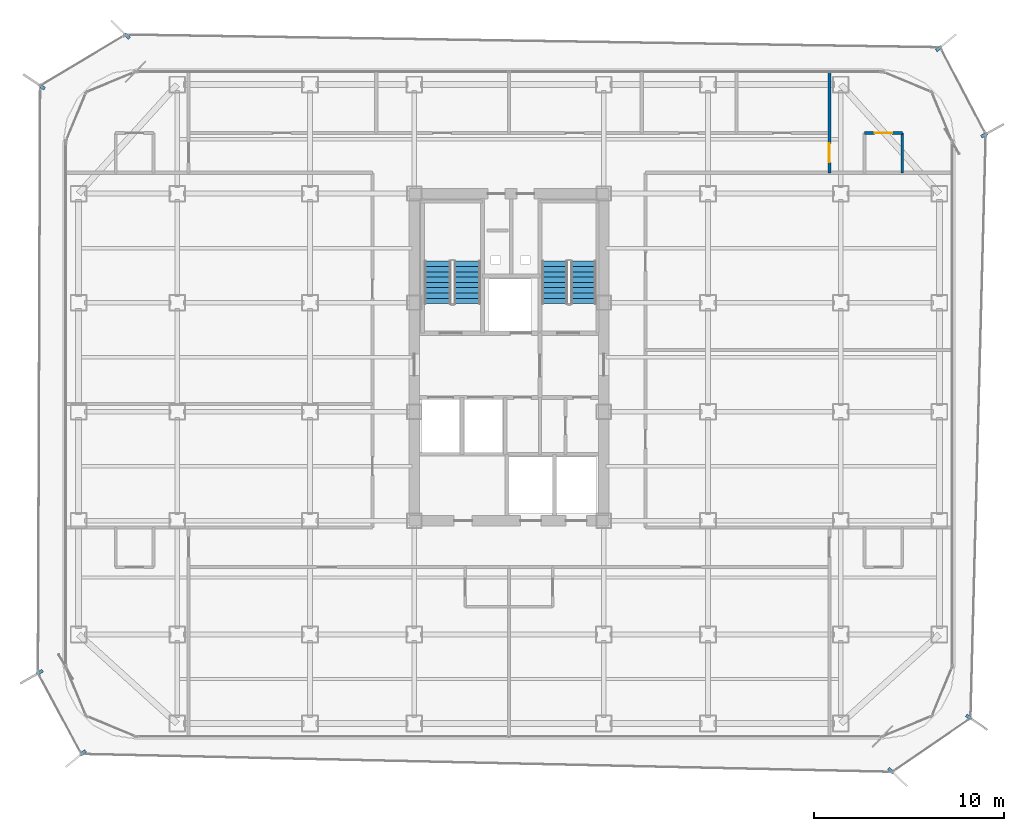
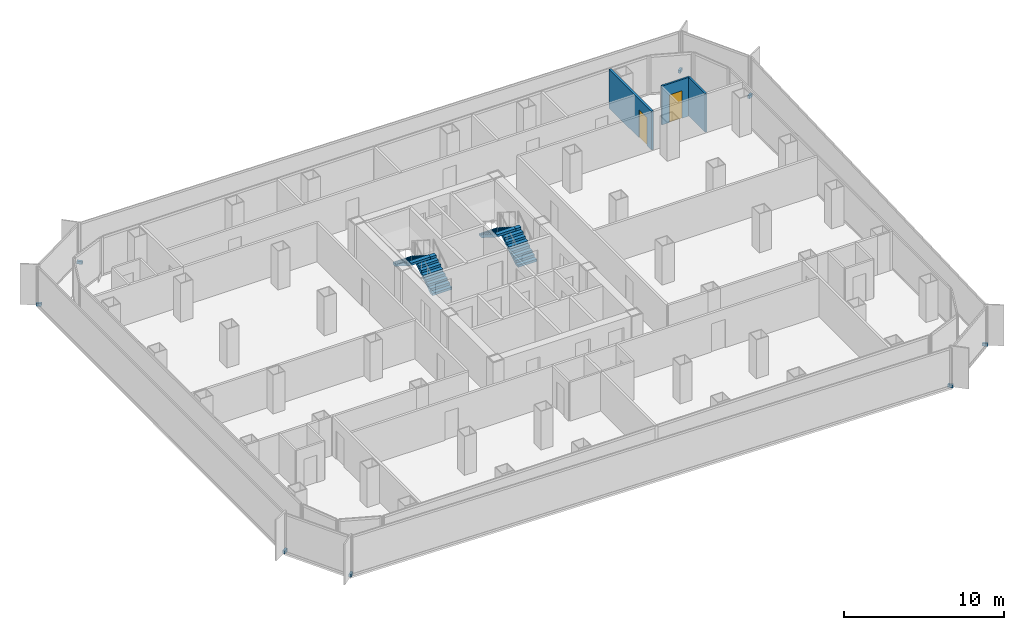
# One storey, part 18 of 21: 8 discrete accessories, 4 stair flights, 3 walls, 2 doors, 2 openings, 2 elements without a shape of their own.
"""IFC4 building model written with IfcOpenShell, lengths in metres."""

from ifc_helpers import new_model, si_unit, direction, frame, frame_2d, origin, origin_2d, place, context, subcontext, project, spatial, polyline, rectangle, outline, extrude, source, transform, mapped, material, layer, layer_set, type_object, element, fill, aggregate, save


model = new_model("IFC4")

# Units and contexts
model_context = context("Model", 3, precision=1e-05, world=origin(), true_north=direction((0.0, 1.0)))
body_context = subcontext(model_context, "Body", "Model", "MODEL_VIEW")
ifc_project = project(units=[si_unit("LENGTHUNIT", "METRE"), si_unit("AREAUNIT", "SQUARE_METRE"), si_unit("VOLUMEUNIT", "CUBIC_METRE"), si_unit("PLANEANGLEUNIT", "RADIAN"), si_unit("MASSUNIT", "GRAM", prefix="KILO")], contexts=[model_context])

# Site, building, storey
site_placement = place(None, origin())
site = spatial("IfcSite", under=ifc_project, at=site_placement, CompositionType="ELEMENT")
building_placement = place(site_placement, origin())
building = spatial("IfcBuilding", under=site, at=building_placement, Name="Kolveth Station Tower", CompositionType="ELEMENT")
storey_placement = place(building_placement, frame((0.0, 0.0, 134.300048828125)))
storey = spatial("IfcBuildingStorey", under=building, at=storey_placement, Name="L37", CompositionType="ELEMENT", Elevation=134.300048828125)

# Wall
ifc_material_1 = material(Name="Moisture-resistant gypsum partition")
ifc_layer_1 = layer(ifc_material_1, 0.135009765625)
ifc_layer_set_1 = layer_set([ifc_layer_1], Name="Moisture-resistant gypsum partition")
wall_type_1 = type_object("IfcWallType", Name="Wall_IW-135", PredefinedType="PARTITIONING", material=ifc_layer_set_1)
wall_1_placement = place(storey_placement, frame((44.25, 29.85009765625, 0.0), z_axis=(0.0, 0.0, 1.0), x_axis=(0.0, 1.0, 0.0)))
element("IfcWall", 1, at=wall_1_placement, inside=storey, type_object=wall_type_1, Name="L37 Partition Wall WL-L37-ES2-BV2", PredefinedType="PARTITIONING", context=body_context, shape_type="SweptSolid", body=[
    extrude(rectangle(XDim=2.099853515625, YDim=0.135009765625, at=frame_2d((1.0498046875, 0.0))), origin(), (0.0, 0.0, 1.0), 2.949951171875),
])

# Wall, opening, door
wall_2_placement = place(storey_placement, frame((42.25, 31.949951171875, 0.0), z_axis=(0.0, 0.0, 1.0), x_axis=(1.0, 0.0, 0.0)))
wall_2 = element("IfcWall", 2, at=wall_2_placement, inside=storey, type_object=wall_type_1, Name="L37 Partition Wall WL-L37-ES2-BH", PredefinedType="PARTITIONING", context=body_context, shape_type="SweptSolid", body=[
    extrude(rectangle(XDim=2.0, YDim=0.135009765625, at=frame_2d((1.0, 0.0))), origin(), (0.0, 0.0, 1.0), 2.949951171875),
])
opening_1_placement = place(wall_2_placement, frame((0.5400390625, 0.0, 0.0)))
opening_1 = element("IfcOpeningElement", 3, at=opening_1_placement, cuts=wall_2, Name="Opening ID2", PredefinedType="OPENING", context=body_context, shape_type="SweptSolid", body=[
    extrude(rectangle(XDim=0.919921875, YDim=2.10009765625, at=frame_2d((0.4599609375, 1.050048828125))), frame((0.0, 0.077392578125, 0.0), z_axis=(0.0, -1.0, 0.0), x_axis=(1.0, 0.0, 0.0)), (0.0, 0.0, 1.0), 0.155029296875),
])
ifc_material_2 = material(Name="Moisture-resistant hardwood leaf", Category="wood")
door_type_1 = type_object("IfcDoorType", Name="Door_ID2", OperationType="NOTDEFINED", PredefinedType="DOOR", material=ifc_material_2)
door_1_placement = place(opening_1_placement, frame((0.919921875, 0.0, 0.0), z_axis=(0.0, 0.0, 1.0), x_axis=(-1.0, 0.0, 0.0)))
door_1 = element("IfcDoor", 4, at=door_1_placement, inside=storey, type_object=door_type_1, Name="L37 Hotel Guest Room ES2 En-Suite Door", OperationType="SINGLE_SWING_RIGHT", OverallHeight=2.10009765625, OverallWidth=0.919921875, PredefinedType="DOOR", context=body_context, shape_type="SweptSolid", body=[
    extrude(rectangle(XDim=0.919921875, YDim=2.10009765625, at=frame_2d((0.4599609375, 1.050048828125))), frame((0.0, 0.02490234375, 0.0), z_axis=(0.0, -1.0, 0.0), x_axis=(1.0, 0.0, 0.0)), (0.0, 0.0, 1.0), 0.050048828125),
])
fill(opening_1, door_1)

ifc_material_3 = material(Name="Acoustic double-stud gypsum partition")
ifc_layer_2 = layer(ifc_material_3, 0.1650390625)
ifc_layer_set_2 = layer_set([ifc_layer_2], Name="Acoustic double-stud gypsum partition")
wall_type_2 = type_object("IfcWallType", Name="Wall_IW-165", PredefinedType="PARTITIONING", material=ifc_layer_set_2)
wall_3_placement = place(storey_placement, frame((40.39990234375, 29.85009765625, 0.0), z_axis=(0.0, 0.0, 1.0), x_axis=(0.0, 1.0, 0.0)))
wall_3 = element("IfcWall", 5, at=wall_3_placement, inside=storey, type_object=wall_type_2, Name="L37 Partition Wall WL-L37-END-EN", PredefinedType="PARTITIONING", context=body_context, shape_type="SweptSolid", body=[
    extrude(rectangle(XDim=5.289794921875, YDim=0.1650390625, at=frame_2d((2.64501953125, 0.0))), origin(), (0.0, 0.0, 1.0), 2.949951171875),
])
opening_2_placement = place(wall_3_placement, frame((0.550048828125, 0.0, 0.0)))
opening_2 = element("IfcOpeningElement", 6, at=opening_2_placement, cuts=wall_3, Name="Opening FD3", PredefinedType="OPENING", context=body_context, shape_type="SweptSolid", body=[
    extrude(rectangle(XDim=1.0, YDim=2.14990234375, at=frame_2d((0.5, 1.074951171875))), frame((0.0, 0.092529296875, 0.0), z_axis=(0.0, -1.0, 0.0), x_axis=(1.0, 0.0, 0.0)), (0.0, 0.0, 1.0), 0.18505859375),
])
ifc_material_4 = material(Name="Fire-rated hardwood leaf and aluminium frame", Category="wood")
door_type_2 = type_object("IfcDoorType", Name="Door_FD3", OperationType="NOTDEFINED", PredefinedType="DOOR", material=ifc_material_4)
door_2_placement = place(opening_2_placement, frame((1.0, 0.0, 0.0), z_axis=(0.0, 0.0, 1.0), x_axis=(-1.0, 0.0, 0.0)))
door_2 = element("IfcDoor", 7, at=door_2_placement, inside=storey, type_object=door_type_2, Name="L37 Hotel Guest Room ES2 Entrance Door", OperationType="SINGLE_SWING_LEFT", OverallHeight=2.14990234375, OverallWidth=1.0, PredefinedType="DOOR", context=body_context, shape_type="SweptSolid", body=[
    extrude(rectangle(XDim=1.0, YDim=2.14990234375, at=frame_2d((0.5, 1.074951171875))), frame((0.0, 0.02490234375, 0.0), z_axis=(0.0, -1.0, 0.0), x_axis=(1.0, 0.0, 0.0)), (0.0, 0.0, 1.0), 0.050048828125),
])
fill(opening_2, door_2)

# Stair, stair flights
ifc_material_5 = material(Name="Concrete C40/50", Category="concrete")
stair_type_1 = type_object("IfcStairType", Name="Stair_ST1", PredefinedType="HALF_TURN_STAIR", material=ifc_material_5)
stair_1_placement = place(storey_placement, origin())
stair_1 = element("IfcStair", 8, at=stair_1_placement, inside=storey, type_object=stair_type_1, Name="L37 Tower Exit Stair ST1", PredefinedType="HALF_TURN_STAIR")
ifc_layer_3 = layer(ifc_material_5, 0.179931640625)
ifc_layer_set_3 = layer_set([ifc_layer_3], Name="Concrete C40/50")
stair_flight_type_1 = type_object("IfcStairFlightType", Name="Flight_ST1", PredefinedType="STRAIGHT", material=ifc_layer_set_3)
stair_flight_1_placement = place(storey_placement, frame((21.300048828125, 22.949951171875, 0.0), z_axis=(0.0, 0.0, 1.0), x_axis=(0.0, 1.0, 0.0)))
stair_flight_1 = element("IfcStairFlight", 9, at=stair_flight_1_placement, type_object=stair_flight_type_1, Name="ST1 flight 1", NumberOfRisers=9, NumberOfTreads=8, PredefinedType="STRAIGHT", RiserHeight=0.177777778, TreadLength=0.28, context=body_context, shape_type="SweptSolid", body=[
    extrude(outline(polyline([(0.0, 0.0), (0.0, 0.177734375), (0.280029296875, 0.177734375), (0.280029296875, 0.35546875), (0.56005859375, 0.35546875), (0.56005859375, 0.533447265625), (0.840087890625, 0.533447265625), (0.840087890625, 0.711181640625), (1.1201171875, 0.711181640625), (1.1201171875, 0.888916015625), (1.39990234375, 0.888916015625), (1.39990234375, 1.066650390625), (1.679931640625, 1.066650390625), (1.679931640625, 1.244384765625), (1.9599609375, 1.244384765625), (1.9599609375, 1.422119140625), (2.239990234375, 1.422119140625), (2.239990234375, 1.60009765625), (2.239990234375, 1.24462890625), (0.27978515625, 0.0), (0.0, 0.0)])), frame((0.0, 0.699951171875, 0.0), z_axis=(0.0, -1.0, 0.0), x_axis=(1.0, 0.0, 0.0)), (0.0, 0.0, 1.0), 1.39990234375),
])
stair_flight_2_placement = place(storey_placement, frame((19.739990234375, 25.18994140625, 1.599853515625), z_axis=(0.0, 0.0, 1.0), x_axis=(0.0, -1.0, 0.0)))
stair_flight_2 = element("IfcStairFlight", 10, at=stair_flight_2_placement, type_object=stair_flight_type_1, Name="ST1 flight 2", NumberOfRisers=9, NumberOfTreads=8, PredefinedType="STRAIGHT", RiserHeight=0.177777778, TreadLength=0.28, context=body_context, shape_type="SweptSolid", body=[
    extrude(outline(polyline([(0.0, 0.0), (0.0, 0.177734375), (0.280029296875, 0.177734375), (0.280029296875, 0.35546875), (0.56005859375, 0.35546875), (0.56005859375, 0.533447265625), (0.840087890625, 0.533447265625), (0.840087890625, 0.711181640625), (1.1201171875, 0.711181640625), (1.1201171875, 0.888916015625), (1.39990234375, 0.888916015625), (1.39990234375, 1.066650390625), (1.679931640625, 1.066650390625), (1.679931640625, 1.244384765625), (1.9599609375, 1.244384765625), (1.9599609375, 1.422119140625), (2.239990234375, 1.422119140625), (2.239990234375, 1.60009765625), (2.239990234375, 1.24462890625), (0.27978515625, 0.0), (0.0, 0.0)])), frame((0.0, 0.699951171875, 0.0), z_axis=(0.0, -1.0, 0.0), x_axis=(1.0, 0.0, 0.0)), (0.0, 0.0, 1.0), 1.39990234375),
])
aggregate(stair_1, [stair_flight_1, stair_flight_2])

stair_type_2 = type_object("IfcStairType", Name="Stair_ST2", PredefinedType="HALF_TURN_STAIR", material=ifc_material_5)
stair_2_placement = place(storey_placement, origin())
stair_2 = element("IfcStair", 11, at=stair_2_placement, inside=storey, type_object=stair_type_2, Name="L37 Tower Exit Stair ST2", PredefinedType="HALF_TURN_STAIR")
ifc_layer_4 = layer(ifc_material_5, 0.179931640625)
ifc_layer_set_4 = layer_set([ifc_layer_4], Name="Concrete C40/50")
stair_flight_type_2 = type_object("IfcStairFlightType", Name="Flight_ST2", PredefinedType="STRAIGHT", material=ifc_layer_set_4)
stair_flight_3_placement = place(storey_placement, frame((27.425048828125, 22.949951171875, 0.0), z_axis=(0.0, 0.0, 1.0), x_axis=(0.0, 1.0, 0.0)))
stair_flight_3 = element("IfcStairFlight", 12, at=stair_flight_3_placement, type_object=stair_flight_type_2, Name="ST2 flight 1", NumberOfRisers=9, NumberOfTreads=8, PredefinedType="STRAIGHT", RiserHeight=0.177777778, TreadLength=0.28, context=body_context, shape_type="SweptSolid", body=[
    extrude(outline(polyline([(0.0, 0.0), (0.0, 0.177734375), (0.280029296875, 0.177734375), (0.280029296875, 0.35546875), (0.56005859375, 0.35546875), (0.56005859375, 0.533447265625), (0.840087890625, 0.533447265625), (0.840087890625, 0.711181640625), (1.1201171875, 0.711181640625), (1.1201171875, 0.888916015625), (1.39990234375, 0.888916015625), (1.39990234375, 1.066650390625), (1.679931640625, 1.066650390625), (1.679931640625, 1.244384765625), (1.9599609375, 1.244384765625), (1.9599609375, 1.422119140625), (2.239990234375, 1.422119140625), (2.239990234375, 1.60009765625), (2.239990234375, 1.24462890625), (0.27978515625, 0.0), (0.0, 0.0)])), frame((0.0, 0.675048828125, 0.0), z_axis=(0.0, -1.0, 0.0), x_axis=(1.0, 0.0, 0.0)), (0.0, 0.0, 1.0), 1.35009765625),
])
stair_flight_4_placement = place(storey_placement, frame((25.9150390625, 25.18994140625, 1.599853515625), z_axis=(0.0, 0.0, 1.0), x_axis=(0.0, -1.0, 0.0)))
stair_flight_4 = element("IfcStairFlight", 13, at=stair_flight_4_placement, type_object=stair_flight_type_2, Name="ST2 flight 2", NumberOfRisers=9, NumberOfTreads=8, PredefinedType="STRAIGHT", RiserHeight=0.177777778, TreadLength=0.28, context=body_context, shape_type="SweptSolid", body=[
    extrude(outline(polyline([(0.0, 0.0), (0.0, 0.177734375), (0.280029296875, 0.177734375), (0.280029296875, 0.35546875), (0.56005859375, 0.35546875), (0.56005859375, 0.533447265625), (0.840087890625, 0.533447265625), (0.840087890625, 0.711181640625), (1.1201171875, 0.711181640625), (1.1201171875, 0.888916015625), (1.39990234375, 0.888916015625), (1.39990234375, 1.066650390625), (1.679931640625, 1.066650390625), (1.679931640625, 1.244384765625), (1.9599609375, 1.244384765625), (1.9599609375, 1.422119140625), (2.239990234375, 1.422119140625), (2.239990234375, 1.60009765625), (2.239990234375, 1.24462890625), (0.27978515625, 0.0), (0.0, 0.0)])), frame((0.0, 0.675048828125, 0.0), z_axis=(0.0, -1.0, 0.0), x_axis=(1.0, 0.0, 0.0)), (0.0, 0.0, 1.0), 1.35009765625),
])
aggregate(stair_2, [stair_flight_3, stair_flight_4])

# Discrete accessories
ifc_material_6 = material(Name="Steel S355", Category="steel")
discrete_accessory_type = type_object("IfcDiscreteAccessoryType", Name="Bracket_BK1", PredefinedType="BRACKET", material=ifc_material_6)
shared_shape = source(origin(), body_context, "Body", "SweptSolid", [
    extrude(rectangle(XDim=0.35009765625, YDim=0.159912109375, at=origin_2d()), origin(), (0.0, 0.0, 1.0), 0.219970703125),
])
for number, where, z_axis, x_axis, name in (
    (14, (43.64208984375, -1.68408203125, -0.06005859375), (0.0, 0.0, 1.0), (0.721397723859, -0.692520991747, 0.0), "L37 Double-Skin Radial Tie Bracket 1"),
    (15, (47.761962890625, 1.135986328125, -0.06005859375), (0.0, 0.0, 1.0), (0.826687964527, -0.562660651997, 0.0), "L37 Double-Skin Radial Tie Bracket 2"),
    (16, (48.56298828125, 31.837890625, -0.06005859375), (0.0, 0.0, 1.0), (0.87026973856, 0.492575458328, 0.0), "L37 Double-Skin Radial Tie Bracket 3"),
    (17, (46.169921875, 36.40087890625, -0.06005859375), (0.0, 0.0, 1.0), (0.770624482513, 0.637289500111, 0.0), "L37 Double-Skin Radial Tie Bracket 4"),
    (18, (3.347900390625, 37.06201171875, -0.06005859375), (0.0, 0.0, 1.0), (-0.720187948577, 0.693779012888, 0.0), "L37 Double-Skin Radial Tie Bracket 5"),
    (19, (-1.139892578125, 34.382080078125, -0.06005859375), (0.0, 0.0, 1.0), (-0.827276727994, 0.56179463803, 0.0), "L37 Double-Skin Radial Tie Bracket 6"),
    (20, (-1.25, 3.501953125, -0.06005859375), (0.0, 0.0, 1.0), (-0.868198814489, -0.496216503675, 0.0), "L37 Double-Skin Radial Tie Bracket 7"),
    (21, (1.032958984375, -0.7451171875, -0.06005859375), (0.0, 0.0, 1.0), (-0.773729652124, -0.633515923575, 0.0), "L37 Double-Skin Radial Tie Bracket 8"),
):
    element("IfcDiscreteAccessory", number, at=place(storey_placement, frame(where, z_axis=z_axis, x_axis=x_axis)), inside=storey, type_object=discrete_accessory_type, Name=name, PredefinedType="BRACKET", context=body_context, shape_type="MappedRepresentation", body=[
        mapped(shared_shape, transform((0.0, 0.0, 0.0), x_axis=(1.0, 0.0, 0.0), y_axis=(0.0, 1.0, 0.0), z_axis=(0.0, 0.0, 1.0), scale=1.0)),
    ])

save(model, "model.ifc")
